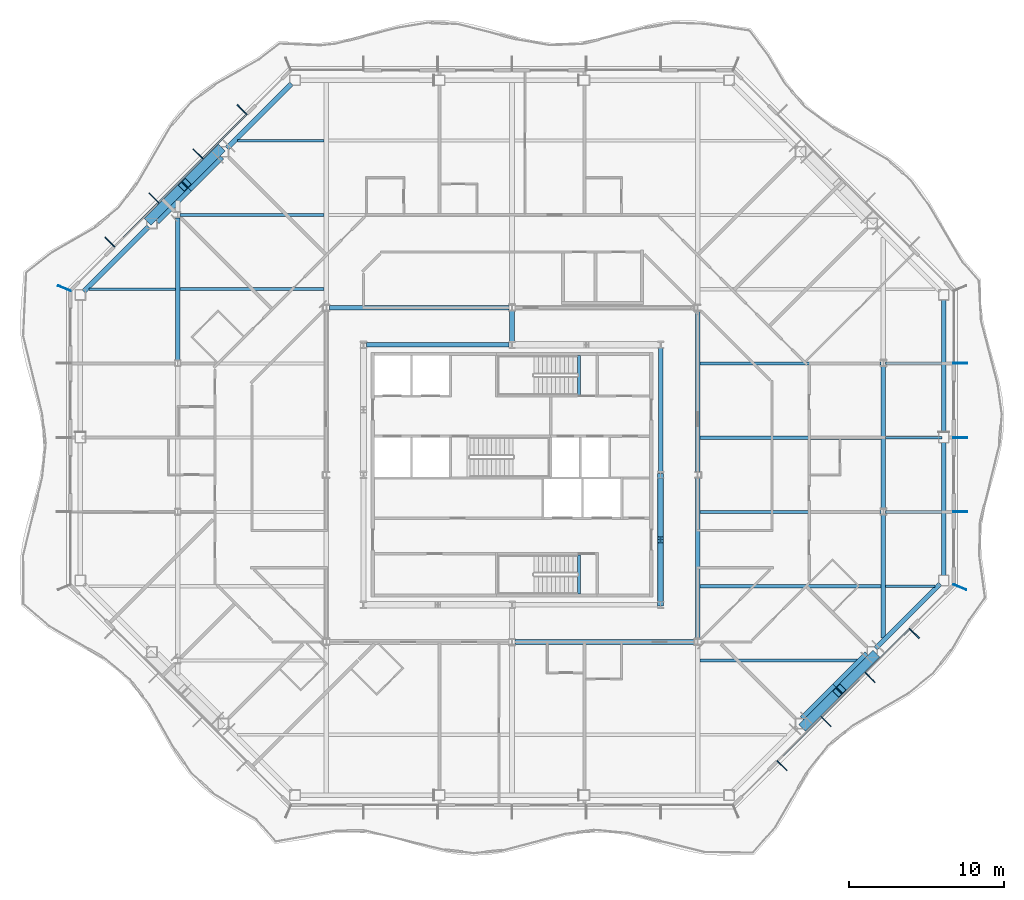
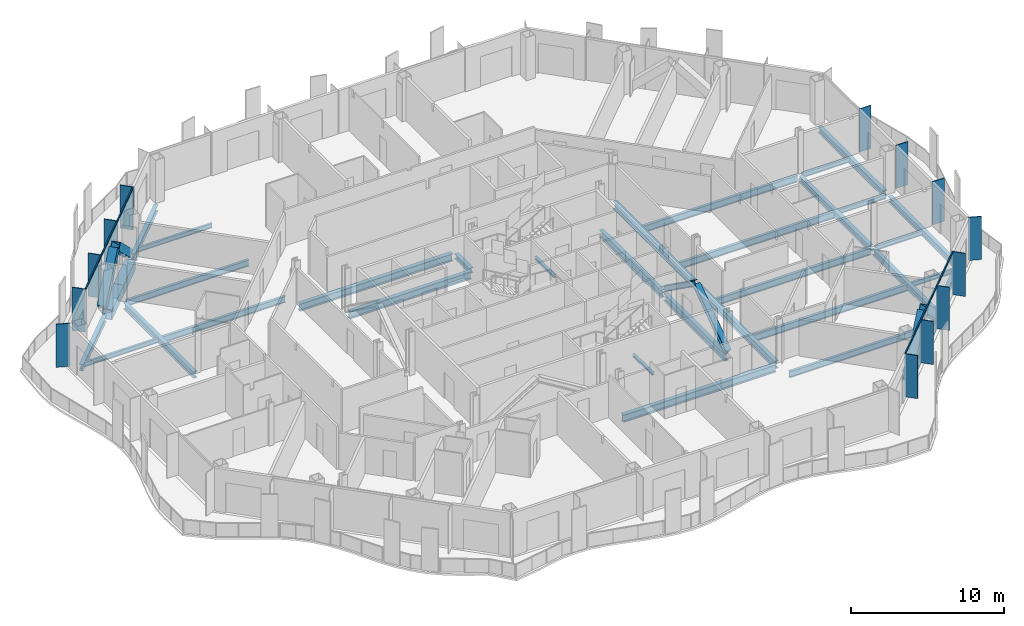
# One storey, part 4 of 22: 35 beams, 25 members, 4 elements without a shape of their own.
"""IFC4 building model written with IfcOpenShell, lengths in metres."""

from ifc_helpers import new_model, si_unit, direction, frame, origin, origin_2d, place, context, subcontext, project, spatial, rectangle, hollow_rectangle, i_section, extrude, material, material_profile, profile_set, type_object, element, aggregate, save


model = new_model("IFC4")

# Units and contexts
model_context = context("Model", 3, precision=1e-05, world=origin(), true_north=direction((0.0, 1.0)))
body_context = subcontext(model_context, "Body", "Model", "MODEL_VIEW")
ifc_project = project(units=[si_unit("LENGTHUNIT", "METRE"), si_unit("AREAUNIT", "SQUARE_METRE"), si_unit("VOLUMEUNIT", "CUBIC_METRE"), si_unit("PLANEANGLEUNIT", "RADIAN"), si_unit("MASSUNIT", "GRAM", prefix="KILO")], contexts=[model_context])

# Site, building, storey
site_placement = place(None, origin())
site = spatial("IfcSite", under=ifc_project, at=site_placement, CompositionType="ELEMENT")
building_placement = place(site_placement, origin())
building = spatial("IfcBuilding", under=site, at=building_placement, Name="Cairn Pilgrim Tower", CompositionType="ELEMENT")
storey_placement = place(building_placement, frame((0.0, 0.0, 147.0)))
storey = spatial("IfcBuildingStorey", under=building, at=storey_placement, Name="L36", CompositionType="ELEMENT", Elevation=147.0)

# Members
ifc_material_1 = material(Name="Structural steel S460M", Category="steel")
ifc_material_profile_1 = material_profile(ifc_material_1, hollow_rectangle(XDim=0.60009765625, YDim=0.60009765625, WallThickness=0.034912109375, at=origin_2d()), Name="BOX 600x600x35")
ifc_profile_set_1 = profile_set([ifc_material_profile_1], Name="Structural steel S460M")
member_type_1 = type_object("IfcMemberType", Name="BOX 600x600x35 BRACE", PredefinedType="BRACE", material=ifc_profile_set_1)
for number, where, z_axis, x_axis, name in (
    (1, (26.08837890625, -13.813720703125, 0.14990234375), (0.535555986925, 0.535555986925, 0.652962150311), (-0.707106781187, 0.707106781187, 0.0), "XB-SE2-SE3-1"),
    (2, (30.613525390625, -9.288330078125, 0.14990234375), (-0.535512846393, -0.535573335815, 0.652983302476), (0.707146713802, -0.707066846316, 0.0), "XB-SE2-SE3-2"),
):
    element("IfcMember", number, at=place(storey_placement, frame(where, z_axis=z_axis, x_axis=x_axis)), inside=storey, type_object=member_type_1, Name=name, PredefinedType="BRACE", context=body_context, shape_type="SweptSolid", body=[
        extrude(hollow_rectangle(XDim=0.60009765625, YDim=0.60009765625, WallThickness=0.034912109375, at=origin_2d()), origin(), (0.0, 0.0, 1.0), 4.0361328125),
    ])
member_1_placement = place(storey_placement, frame((-11.6884765625, 23.41357421875, 0.14990234375), z_axis=(-0.53553019501, -0.53553019501, 0.653004456696), x_axis=(0.707106781187, -0.707106781187, 0.0)))
element("IfcMember", 3, at=member_1_placement, inside=storey, type_object=member_type_1, Name="XB-NW2-NW3-1", PredefinedType="BRACE", context=body_context, shape_type="SweptSolid", body=[
    extrude(hollow_rectangle(XDim=0.60009765625, YDim=0.60009765625, WallThickness=0.034912109375, at=origin_2d()), origin(), (0.0, 0.0, 1.0), 4.035888671875),
])
member_2_placement = place(storey_placement, frame((-16.213623046875, 18.888427734375, 0.14990234375), z_axis=(0.535573335815, 0.535512846393, 0.652983302476), x_axis=(-0.707066846316, 0.707146713802, 0.0)))
element("IfcMember", 4, at=member_2_placement, inside=storey, type_object=member_type_1, Name="XB-NW2-NW3-2", PredefinedType="BRACE", context=body_context, shape_type="SweptSolid", body=[
    extrude(hollow_rectangle(XDim=0.60009765625, YDim=0.60009765625, WallThickness=0.034912109375, at=origin_2d()), origin(), (0.0, 0.0, 1.0), 4.0361328125),
])

# Beams
ifc_material_2 = material(Name="Structural steel S355J2", Category="steel")
ifc_material_profile_2 = material_profile(ifc_material_2, hollow_rectangle(XDim=0.699951171875, YDim=0.800048828125, WallThickness=0.0400390625, at=origin_2d()), Name="BOX 700x800x40")
ifc_profile_set_2 = profile_set([ifc_material_profile_2], Name="Structural steel S355J2")
beam_type_1 = type_object("IfcBeamType", Name="BOX 700x800x40 RING GIRDER", PredefinedType="SPANDREL", material=ifc_profile_set_2)
for number, where, z_axis, x_axis, name in (
    (5, (26.07421875, -13.452880859375, -0.550048828125), (0.707106781187, 0.707106781187, 0.0), (-0.707106781187, 0.707106781187, 0.0), "RG2-SE2-SE3-1"),
    (6, (28.16357421875, -11.363525390625, -0.550048828125), (0.707106781187, 0.707106781187, 0.0), (-0.707106781187, 0.707106781187, 0.0), "RG2-SE2-SE3-2"),
    (7, (-11.67431640625, 23.052978515625, -0.550048828125), (-0.707106781187, -0.707106781187, 0.0), (0.707106781187, -0.707106781187, 0.0), "RG2-NW2-NW3-1"),
    (8, (-13.763671875, 20.963623046875, -0.550048828125), (-0.707106781187, -0.707106781187, 0.0), (0.707106781187, -0.707106781187, 0.0), "RG2-NW2-NW3-2"),
):
    element("IfcBeam", number, at=place(storey_placement, frame(where, z_axis=z_axis, x_axis=x_axis)), inside=storey, type_object=beam_type_1, Name=name, PredefinedType="SPANDREL", context=body_context, shape_type="SweptSolid", body=[
        extrude(hollow_rectangle(XDim=0.699951171875, YDim=0.800048828125, WallThickness=0.0400390625, at=origin_2d()), origin(), (0.0, 0.0, 1.0), 2.954833984375),
    ])

# Curtain wall, members
ifc_material_3 = material(Name="Aluminium alloy 6063-T6 bronze anodised with Bronze tinted laminated low-E glass 8+16+8.8", Category="aluminium")
curtain_wall_type_1 = type_object("IfcCurtainWallType", Name="CHAMFER CORNER CURTAIN WALL", PredefinedType="NOTDEFINED", material=ifc_material_3)
curtain_wall_1_placement = place(storey_placement, origin())
curtain_wall_1 = element("IfcCurtainWall", 9, at=curtain_wall_1_placement, inside=storey, type_object=curtain_wall_type_1, Name="Chamfer Corner Curtain Wall SE", PredefinedType="NOTDEFINED")
ifc_material_4 = material(Name="Aluminium alloy 6063-T6 bronze anodised", Category="aluminium")
ifc_material_profile_3 = material_profile(ifc_material_4, rectangle(XDim=0.89990234375, YDim=0.06005859375, at=origin_2d()), Name="FIN MULLION 60x900 BRONZE")
ifc_profile_set_3 = profile_set([ifc_material_profile_3], Name="Aluminium alloy 6063-T6 bronze anodised")
member_type_2 = type_object("IfcMemberType", Name="FIN MULLION 60x900 BRONZE", PredefinedType="MULLION", material=ifc_profile_set_3)
member_3_placement = place(storey_placement, frame((24.64404296875, -16.396240234375, 0.0), z_axis=(0.0, 0.0, 1.0), x_axis=(0.707106781187, -0.707106781187, 0.0)))
member_3 = element("IfcMember", 10, at=member_3_placement, type_object=member_type_2, Name="Fin mullion SE2", PredefinedType="MULLION", context=body_context, shape_type="SweptSolid", body=[
    extrude(rectangle(XDim=0.89990234375, YDim=0.06005859375, at=origin_2d()), origin(), (0.0, 0.0, 1.0), 3.449951171875),
])
member_4_placement = place(storey_placement, frame((27.494873046875, -13.545654296875, 0.0), z_axis=(0.0, 0.0, 1.0), x_axis=(0.707106781187, -0.707106781187, 0.0)))
member_4 = element("IfcMember", 11, at=member_4_placement, type_object=member_type_2, Name="Fin mullion SE3", PredefinedType="MULLION", context=body_context, shape_type="SweptSolid", body=[
    extrude(rectangle(XDim=0.89990234375, YDim=0.06005859375, at=origin_2d()), origin(), (0.0, 0.0, 1.0), 3.449951171875),
])
member_5_placement = place(storey_placement, frame((30.345458984375, -10.69482421875, 0.0), z_axis=(0.0, 0.0, 1.0), x_axis=(0.707106781187, -0.707106781187, 0.0)))
member_5 = element("IfcMember", 12, at=member_5_placement, type_object=member_type_2, Name="Fin mullion SE4", PredefinedType="MULLION", context=body_context, shape_type="SweptSolid", body=[
    extrude(rectangle(XDim=0.89990234375, YDim=0.06005859375, at=origin_2d()), origin(), (0.0, 0.0, 1.0), 3.449951171875),
])
member_6_placement = place(storey_placement, frame((33.1962890625, -7.84423828125, 0.0), z_axis=(0.0, 0.0, 1.0), x_axis=(0.707106781187, -0.707106781187, 0.0)))
member_6 = element("IfcMember", 13, at=member_6_placement, type_object=member_type_2, Name="Fin mullion SE5", PredefinedType="MULLION", context=body_context, shape_type="SweptSolid", body=[
    extrude(rectangle(XDim=0.89990234375, YDim=0.06005859375, at=origin_2d()), origin(), (0.0, 0.0, 1.0), 3.449951171875),
])

curtain_wall_type_2 = type_object("IfcCurtainWallType", Name="TOWER STICK CURTAIN WALL EW", PredefinedType="NOTDEFINED", material=ifc_material_3)
curtain_wall_2_placement = place(storey_placement, origin())
curtain_wall_2 = element("IfcCurtainWall", 14, at=curtain_wall_2_placement, inside=storey, type_object=curtain_wall_type_2, Name="Tower Stick Curtain Wall Ew E", PredefinedType="NOTDEFINED")
member_7_placement = place(storey_placement, frame((36.137939453125, -4.857177734375, 0.0), z_axis=(0.0, 0.0, 1.0), x_axis=(0.923879532511, -0.382683432365, 0.0)))
member_7 = element("IfcMember", 15, at=member_7_placement, type_object=member_type_2, Name="Fin mullion E1", PredefinedType="MULLION", context=body_context, shape_type="SweptSolid", body=[
    extrude(rectangle(XDim=0.89990234375, YDim=0.06005859375, at=origin_2d()), origin(), (0.0, 0.0, 1.0), 3.449951171875),
])
member_8_placement = place(storey_placement, frame((36.169921875, 0.0, 0.0), z_axis=(0.0, 0.0, 1.0), x_axis=(1.0, 0.0, 0.0)))
member_8 = element("IfcMember", 16, at=member_8_placement, type_object=member_type_2, Name="Fin mullion E2", PredefinedType="MULLION", context=body_context, shape_type="SweptSolid", body=[
    extrude(rectangle(XDim=0.89990234375, YDim=0.06005859375, at=origin_2d()), origin(), (0.0, 0.0, 1.0), 3.449951171875),
])
member_9_placement = place(storey_placement, frame((36.169921875, 4.800048828125, 0.0), z_axis=(0.0, 0.0, 1.0), x_axis=(1.0, 0.0, 0.0)))
member_9 = element("IfcMember", 17, at=member_9_placement, type_object=member_type_2, Name="Fin mullion E3", PredefinedType="MULLION", context=body_context, shape_type="SweptSolid", body=[
    extrude(rectangle(XDim=0.89990234375, YDim=0.06005859375, at=origin_2d()), origin(), (0.0, 0.0, 1.0), 3.449951171875),
])
member_10_placement = place(storey_placement, frame((36.169921875, 9.60009765625, 0.0), z_axis=(0.0, 0.0, 1.0), x_axis=(1.0, 0.0, 0.0)))
member_10 = element("IfcMember", 18, at=member_10_placement, type_object=member_type_2, Name="Fin mullion E4", PredefinedType="MULLION", context=body_context, shape_type="SweptSolid", body=[
    extrude(rectangle(XDim=0.89990234375, YDim=0.06005859375, at=origin_2d()), origin(), (0.0, 0.0, 1.0), 3.449951171875),
])
aggregate(curtain_wall_2, [member_7, member_8, member_9, member_10])

curtain_wall_3_placement = place(storey_placement, origin())
curtain_wall_3 = element("IfcCurtainWall", 19, at=curtain_wall_3_placement, inside=storey, type_object=curtain_wall_type_1, Name="Chamfer Corner Curtain Wall NW", PredefinedType="NOTDEFINED")
member_11_placement = place(storey_placement, frame((-10.244140625, 25.996337890625, 0.0), z_axis=(0.0, 0.0, 1.0), x_axis=(-0.707106781187, 0.707106781187, 0.0)))
member_11 = element("IfcMember", 20, at=member_11_placement, type_object=member_type_2, Name="Fin mullion NW2", PredefinedType="MULLION", context=body_context, shape_type="SweptSolid", body=[
    extrude(rectangle(XDim=0.89990234375, YDim=0.06005859375, at=origin_2d()), origin(), (0.0, 0.0, 1.0), 3.449951171875),
])
member_12_placement = place(storey_placement, frame((-13.094970703125, 23.1455078125, 0.0), z_axis=(0.0, 0.0, 1.0), x_axis=(-0.707106781187, 0.707106781187, 0.0)))
member_12 = element("IfcMember", 21, at=member_12_placement, type_object=member_type_2, Name="Fin mullion NW3", PredefinedType="MULLION", context=body_context, shape_type="SweptSolid", body=[
    extrude(rectangle(XDim=0.89990234375, YDim=0.06005859375, at=origin_2d()), origin(), (0.0, 0.0, 1.0), 3.449951171875),
])
member_13_placement = place(storey_placement, frame((-15.945556640625, 20.294921875, 0.0), z_axis=(0.0, 0.0, 1.0), x_axis=(-0.707106781187, 0.707106781187, 0.0)))
member_13 = element("IfcMember", 22, at=member_13_placement, type_object=member_type_2, Name="Fin mullion NW4", PredefinedType="MULLION", context=body_context, shape_type="SweptSolid", body=[
    extrude(rectangle(XDim=0.89990234375, YDim=0.06005859375, at=origin_2d()), origin(), (0.0, 0.0, 1.0), 3.449951171875),
])
member_14_placement = place(storey_placement, frame((-18.79638671875, 17.444091796875, 0.0), z_axis=(0.0, 0.0, 1.0), x_axis=(-0.707106781187, 0.707106781187, 0.0)))
member_14 = element("IfcMember", 23, at=member_14_placement, type_object=member_type_2, Name="Fin mullion NW5", PredefinedType="MULLION", context=body_context, shape_type="SweptSolid", body=[
    extrude(rectangle(XDim=0.89990234375, YDim=0.06005859375, at=origin_2d()), origin(), (0.0, 0.0, 1.0), 3.449951171875),
])

# Curtain wall, member
curtain_wall_4_placement = place(storey_placement, origin())
curtain_wall_4 = element("IfcCurtainWall", 24, at=curtain_wall_4_placement, inside=storey, type_object=curtain_wall_type_2, Name="Tower Stick Curtain Wall Ew W", PredefinedType="NOTDEFINED")
member_15_placement = place(storey_placement, frame((-21.738037109375, 14.457275390625, 0.0), z_axis=(0.0, 0.0, 1.0), x_axis=(-0.923879532511, 0.382683432365, 0.0)))
member_15 = element("IfcMember", 25, at=member_15_placement, type_object=member_type_2, Name="Fin mullion W1", PredefinedType="MULLION", context=body_context, shape_type="SweptSolid", body=[
    extrude(rectangle(XDim=0.89990234375, YDim=0.06005859375, at=origin_2d()), origin(), (0.0, 0.0, 1.0), 3.449951171875),
])
aggregate(curtain_wall_4, [member_15])

# Members
ifc_material_profile_4 = material_profile(ifc_material_1, i_section(OverallWidth=0.408935546875, OverallDepth=0.425048828125, WebThickness=0.03271484375, FlangeThickness=0.052490234375, FilletRadius=0.014892578125, at=origin_2d()), Name="HD 400x421")
ifc_profile_set_4 = profile_set([ifc_material_profile_4], Name="Structural steel S460M")
member_type_3 = type_object("IfcMemberType", Name="HD 400x421 BRACE", PredefinedType="BRACE", material=ifc_profile_set_4)
for number, where, z_axis, x_axis, name in (
    (26, (16.800048828125, -5.95751953125, 0.10009765625), (0.0, 0.814281054922, 0.58047081201), (-1.0, 0.0, 0.0), "KB-2A"),
    (27, (16.800048828125, 2.357666015625, 0.10009765625), (0.0, -0.814281054922, 0.58047081201), (1.0, 0.0, 0.0), "KB-2B"),
):
    element("IfcMember", number, at=place(storey_placement, frame(where, z_axis=z_axis, x_axis=x_axis)), inside=storey, type_object=member_type_3, Name=name, PredefinedType="BRACE", context=body_context, shape_type="SweptSolid", body=[
        extrude(i_section(OverallWidth=0.408935546875, OverallDepth=0.425048828125, WebThickness=0.03271484375, FlangeThickness=0.052490234375, FilletRadius=0.014892578125, at=origin_2d()), origin(), (0.0, 0.0, 1.0), 4.99755859375),
    ])

# Beams
ifc_material_profile_5 = material_profile(ifc_material_2, i_section(OverallWidth=0.300048828125, OverallDepth=0.39990234375, WebThickness=0.013427734375, FlangeThickness=0.02392578125, FilletRadius=0.027099609375, at=origin_2d()), Name="HEB 400")
ifc_profile_set_5 = profile_set([ifc_material_profile_5], Name="Structural steel S355J2")
beam_type_2 = type_object("IfcBeamType", Name="HEB 400 GIRDER", PredefinedType="BEAM", material=ifc_profile_set_5)
beam_1_placement = place(storey_placement, frame((7.199951171875, 11.011962890625, -0.35009765625), z_axis=(0.0, 1.0, 0.0), x_axis=(-1.0, 0.0, 0.0)))
element("IfcBeam", 28, at=beam_1_placement, inside=storey, type_object=beam_type_2, Name="PG3-E2", PredefinedType="BEAM", context=body_context, shape_type="SweptSolid", body=[
    extrude(i_section(OverallWidth=0.300048828125, OverallDepth=0.39990234375, WebThickness=0.013427734375, FlangeThickness=0.02392578125, FilletRadius=0.027099609375, at=origin_2d()), origin(), (0.0, 0.0, 1.0), 1.983642578125),
])
ifc_material_profile_6 = material_profile(ifc_material_2, i_section(OverallWidth=0.300048828125, OverallDepth=0.5, WebThickness=0.014404296875, FlangeThickness=0.028076171875, FilletRadius=0.027099609375, at=origin_2d()), Name="HEB 500")
ifc_profile_set_6 = profile_set([ifc_material_profile_6], Name="Structural steel S355J2")
beam_type_3 = type_object("IfcBeamType", Name="HEB 500 GIRDER", PredefinedType="BEAM", material=ifc_profile_set_6)
beam_2_placement = place(storey_placement, frame((-14.39990234375, 9.799560546875, -0.39990234375), z_axis=(0.0, 1.0, 0.0), x_axis=(-1.0, 0.0, 0.0)))
element("IfcBeam", 29, at=beam_2_placement, inside=storey, type_object=beam_type_3, Name="PG1-3", PredefinedType="BEAM", context=body_context, shape_type="SweptSolid", body=[
    extrude(i_section(OverallWidth=0.300048828125, OverallDepth=0.5, WebThickness=0.014404296875, FlangeThickness=0.028076171875, FilletRadius=0.027099609375, at=origin_2d()), origin(), (0.0, 0.0, 1.0), 9.200927734375),
])
beam_3_placement = place(storey_placement, frame((31.199951171875, -8.14501953125, -0.39990234375), z_axis=(0.0, 1.0, 0.0), x_axis=(-1.0, 0.0, 0.0)))
element("IfcBeam", 30, at=beam_3_placement, inside=storey, type_object=beam_type_3, Name="PG5-1", PredefinedType="BEAM", context=body_context, shape_type="SweptSolid", body=[
    extrude(i_section(OverallWidth=0.300048828125, OverallDepth=0.5, WebThickness=0.014404296875, FlangeThickness=0.028076171875, FilletRadius=0.027099609375, at=origin_2d()), origin(), (0.0, 0.0, 1.0), 7.9404296875),
])
beam_4_placement = place(storey_placement, frame((31.199951171875, 0.20458984375, -0.39990234375), z_axis=(0.0, 1.0, 0.0), x_axis=(-1.0, 0.0, 0.0)))
element("IfcBeam", 31, at=beam_4_placement, inside=storey, type_object=beam_type_3, Name="PG5-2", PredefinedType="BEAM", context=body_context, shape_type="SweptSolid", body=[
    extrude(i_section(OverallWidth=0.300048828125, OverallDepth=0.5, WebThickness=0.014404296875, FlangeThickness=0.028076171875, FilletRadius=0.027099609375, at=origin_2d()), origin(), (0.0, 0.0, 1.0), 9.19091796875),
])
ifc_material_profile_7 = material_profile(ifc_material_2, i_section(OverallWidth=0.300048828125, OverallDepth=0.5, WebThickness=0.014404296875, FlangeThickness=0.028076171875, FilletRadius=0.027099609375, at=origin_2d()), Name="HEB 500")
ifc_profile_set_7 = profile_set([ifc_material_profile_7], Name="Structural steel S355J2")
beam_type_4 = type_object("IfcBeamType", Name="HEB 500 RING GIRDER", PredefinedType="SPANDREL", material=ifc_profile_set_7)
beam_5_placement = place(storey_placement, frame((30.698486328125, -8.82861328125, -0.39990234375), z_axis=(0.707106781187, 0.707106781187, 0.0), x_axis=(-0.707106781187, 0.707106781187, 0.0)))
element("IfcBeam", 32, at=beam_5_placement, inside=storey, type_object=beam_type_4, Name="RG2-SE3-E1", PredefinedType="SPANDREL", context=body_context, shape_type="SweptSolid", body=[
    extrude(i_section(OverallWidth=0.300048828125, OverallDepth=0.5, WebThickness=0.014404296875, FlangeThickness=0.028076171875, FilletRadius=0.027099609375, at=origin_2d()), origin(), (0.0, 0.0, 1.0), 5.90966796875),
])
beam_6_placement = place(storey_placement, frame((35.10009765625, -4.1123046875, -0.39990234375), z_axis=(0.0, 1.0, 0.0), x_axis=(-1.0, 0.0, 0.0)))
element("IfcBeam", 33, at=beam_6_placement, inside=storey, type_object=beam_type_4, Name="RG2-E1-E2", PredefinedType="SPANDREL", context=body_context, shape_type="SweptSolid", body=[
    extrude(i_section(OverallWidth=0.300048828125, OverallDepth=0.5, WebThickness=0.014404296875, FlangeThickness=0.028076171875, FilletRadius=0.027099609375, at=origin_2d()), origin(), (0.0, 0.0, 1.0), 8.597412109375),
])
beam_7_placement = place(storey_placement, frame((35.10009765625, 5.114990234375, -0.39990234375), z_axis=(0.0, 1.0, 0.0), x_axis=(-1.0, 0.0, 0.0)))
element("IfcBeam", 34, at=beam_7_placement, inside=storey, type_object=beam_type_4, Name="RG2-E2-NE1", PredefinedType="SPANDREL", context=body_context, shape_type="SweptSolid", body=[
    extrude(i_section(OverallWidth=0.300048828125, OverallDepth=0.5, WebThickness=0.014404296875, FlangeThickness=0.028076171875, FilletRadius=0.027099609375, at=origin_2d()), origin(), (0.0, 0.0, 1.0), 8.59716796875),
])
for number, where, z_axis, x_axis, name in (
    (35, (-7.0498046875, 27.67724609375, -0.39990234375), (-0.707127436591, -0.707086125179, 0.0), (0.707086125179, -0.707127436591, 0.0), "RG2-NW1-NW2"),
    (36, (-16.298583984375, 18.4287109375, -0.39990234375), (-0.707106781187, -0.707106781187, 0.0), (0.707106781187, -0.707106781187, 0.0), "RG2-NW3-W1"),
):
    element("IfcBeam", number, at=place(storey_placement, frame(where, z_axis=z_axis, x_axis=x_axis)), inside=storey, type_object=beam_type_4, Name=name, PredefinedType="SPANDREL", context=body_context, shape_type="SweptSolid", body=[
        extrude(i_section(OverallWidth=0.300048828125, OverallDepth=0.5, WebThickness=0.014404296875, FlangeThickness=0.028076171875, FilletRadius=0.027099609375, at=origin_2d()), origin(), (0.0, 0.0, 1.0), 5.90966796875),
    ])
ifc_material_profile_8 = material_profile(ifc_material_2, i_section(OverallWidth=0.300048828125, OverallDepth=0.60009765625, WebThickness=0.015380859375, FlangeThickness=0.030029296875, FilletRadius=0.027099609375, at=origin_2d()), Name="HEB 600")
ifc_profile_set_8 = profile_set([ifc_material_profile_8], Name="Structural steel S355J2")
beam_type_5 = type_object("IfcBeamType", Name="HEB 600 CORE BEAM", PredefinedType="BEAM", material=ifc_profile_set_8)
for number, where, z_axis, x_axis, name in (
    (37, (16.800048828125, -5.80908203125, -0.449951171875), (0.0, 1.0, 0.0), (-1.0, 0.0, 0.0), "CB-3"),
    (38, (16.800048828125, 2.5908203125, -0.449951171875), (0.0, 1.0, 0.0), (-1.0, 0.0, 0.0), "CB-4"),
):
    element("IfcBeam", number, at=place(storey_placement, frame(where, z_axis=z_axis, x_axis=x_axis)), inside=storey, type_object=beam_type_5, Name=name, PredefinedType="BEAM", context=body_context, shape_type="SweptSolid", body=[
        extrude(i_section(OverallWidth=0.300048828125, OverallDepth=0.60009765625, WebThickness=0.015380859375, FlangeThickness=0.030029296875, FilletRadius=0.027099609375, at=origin_2d()), origin(), (0.0, 0.0, 1.0), 8.018310546875),
    ])
beam_8_placement = place(storey_placement, frame((7.00927734375, 10.800048828125, -0.449951171875), z_axis=(-1.0, 0.0, 0.0), x_axis=(0.0, -1.0, 0.0)))
element("IfcBeam", 39, at=beam_8_placement, inside=storey, type_object=beam_type_5, Name="CB-6", PredefinedType="BEAM", context=body_context, shape_type="SweptSolid", body=[
    extrude(i_section(OverallWidth=0.300048828125, OverallDepth=0.60009765625, WebThickness=0.015380859375, FlangeThickness=0.030029296875, FilletRadius=0.027099609375, at=origin_2d()), origin(), (0.0, 0.0, 1.0), 9.218505859375),
])
ifc_material_profile_9 = material_profile(ifc_material_2, i_section(OverallWidth=0.300048828125, OverallDepth=0.60009765625, WebThickness=0.015380859375, FlangeThickness=0.030029296875, FilletRadius=0.027099609375, at=origin_2d()), Name="HEB 600")
ifc_profile_set_9 = profile_set([ifc_material_profile_9], Name="Structural steel S355J2")
beam_type_6 = type_object("IfcBeamType", Name="HEB 600 GIRDER", PredefinedType="BEAM", material=ifc_profile_set_9)
for number, where, z_axis, x_axis, name in (
    (40, (19.199951171875, -8.195556640625, -0.449951171875), (0.0, 1.0, 0.0), (-1.0, 0.0, 0.0), "PG4-2"),
    (41, (19.199951171875, 2.6044921875, -0.449951171875), (0.0, 1.0, 0.0), (-1.0, 0.0, 0.0), "PG4-3"),
):
    element("IfcBeam", number, at=place(storey_placement, frame(where, z_axis=z_axis, x_axis=x_axis)), inside=storey, type_object=beam_type_6, Name=name, PredefinedType="BEAM", context=body_context, shape_type="SweptSolid", body=[
        extrude(i_section(OverallWidth=0.300048828125, OverallDepth=0.60009765625, WebThickness=0.015380859375, FlangeThickness=0.030029296875, FilletRadius=0.027099609375, at=origin_2d()), origin(), (0.0, 0.0, 1.0), 10.39111328125),
    ])
ifc_material_profile_10 = material_profile(ifc_material_2, i_section(OverallWidth=0.300048828125, OverallDepth=0.60009765625, WebThickness=0.015380859375, FlangeThickness=0.030029296875, FilletRadius=0.027099609375, at=origin_2d()), Name="HEB 600")
ifc_profile_set_10 = profile_set([ifc_material_profile_10], Name="Structural steel S355J2")
beam_type_7 = type_object("IfcBeamType", Name="HEB 600 INNER GIRDER", PredefinedType="BEAM", material=ifc_profile_set_10)
for number, where, z_axis, x_axis, name in (
    (42, (7.404541015625, -8.39990234375, -0.449951171875), (1.0, 0.0, 0.0), (0.0, 1.0, 0.0), "IG1-2"),
    (43, (-4.595458984375, 13.199951171875, -0.449951171875), (1.0, 0.0, 0.0), (0.0, 1.0, 0.0), "IG2-1"),
):
    element("IfcBeam", number, at=place(storey_placement, frame(where, z_axis=z_axis, x_axis=x_axis)), inside=storey, type_object=beam_type_7, Name=name, PredefinedType="BEAM", context=body_context, shape_type="SweptSolid", body=[
        extrude(i_section(OverallWidth=0.300048828125, OverallDepth=0.60009765625, WebThickness=0.015380859375, FlangeThickness=0.030029296875, FilletRadius=0.027099609375, at=origin_2d()), origin(), (0.0, 0.0, 1.0), 11.591064453125),
    ])
ifc_material_profile_11 = material_profile(ifc_material_2, i_section(OverallWidth=0.169921875, OverallDepth=0.360107421875, WebThickness=0.008056640625, FlangeThickness=0.0126953125, FilletRadius=0.01806640625, at=origin_2d()), Name="IPE 360")
ifc_profile_set_11 = profile_set([ifc_material_profile_11], Name="Structural steel S355J2")
beam_type_8 = type_object("IfcBeamType", Name="IPE 360 SECONDARY BEAM", PredefinedType="JOIST", material=ifc_profile_set_11)
beam_9_placement = place(storey_placement, frame((31.35009765625, -4.800048828125, -0.330078125), z_axis=(1.0, 0.0, 0.0), x_axis=(0.0, 1.0, 0.0)))
element("IfcBeam", 44, at=beam_9_placement, inside=storey, type_object=beam_type_8, Name="SB3-4", PredefinedType="JOIST", context=body_context, shape_type="SweptSolid", body=[
    extrude(i_section(OverallWidth=0.169921875, OverallDepth=0.360107421875, WebThickness=0.008056640625, FlangeThickness=0.0126953125, FilletRadius=0.01806640625, at=origin_2d()), origin(), (0.0, 0.0, 1.0), 3.195068359375),
])
for number, where, z_axis, x_axis, name in (
    (45, (31.35009765625, 0.0, -0.330078125), (1.0, 0.0, 0.0), (0.0, 1.0, 0.0), "SB4-4"),
    (46, (31.35009765625, 4.800048828125, -0.330078125), (1.0, 0.0, 0.0), (0.0, 1.0, 0.0), "SB5-4"),
    (47, (31.35009765625, 9.60009765625, -0.330078125), (1.0, 0.0, 0.0), (0.0, 1.0, 0.0), "SB6-4"),
):
    element("IfcBeam", number, at=place(storey_placement, frame(where, z_axis=z_axis, x_axis=x_axis)), inside=storey, type_object=beam_type_8, Name=name, PredefinedType="JOIST", context=body_context, shape_type="SweptSolid", body=[
        extrude(i_section(OverallWidth=0.169921875, OverallDepth=0.360107421875, WebThickness=0.008056640625, FlangeThickness=0.0126953125, FilletRadius=0.01806640625, at=origin_2d()), origin(), (0.0, 0.0, 1.0), 3.6298828125),
    ])
beam_10_placement = place(storey_placement, frame((-20.14501953125, 14.39990234375, -0.330078125), z_axis=(1.0, 0.0, 0.0), x_axis=(0.0, 1.0, 0.0)))
element("IfcBeam", 48, at=beam_10_placement, inside=storey, type_object=beam_type_8, Name="SB7-1", PredefinedType="JOIST", context=body_context, shape_type="SweptSolid", body=[
    extrude(i_section(OverallWidth=0.169921875, OverallDepth=0.360107421875, WebThickness=0.008056640625, FlangeThickness=0.0126953125, FilletRadius=0.01806640625, at=origin_2d()), origin(), (0.0, 0.0, 1.0), 5.594970703125),
])
beam_11_placement = place(storey_placement, frame((-10.545166015625, 24.0, -0.330078125), z_axis=(1.0, 0.0, 0.0), x_axis=(0.0, 1.0, 0.0)))
element("IfcBeam", 49, at=beam_11_placement, inside=storey, type_object=beam_type_8, Name="SB9-1", PredefinedType="JOIST", context=body_context, shape_type="SweptSolid", body=[
    extrude(i_section(OverallWidth=0.169921875, OverallDepth=0.360107421875, WebThickness=0.008056640625, FlangeThickness=0.0126953125, FilletRadius=0.01806640625, at=origin_2d()), origin(), (0.0, 0.0, 1.0), 5.59521484375),
])
ifc_material_profile_12 = material_profile(ifc_material_2, i_section(OverallWidth=0.199951171875, OverallDepth=0.5, WebThickness=0.01025390625, FlangeThickness=0.01611328125, FilletRadius=0.02099609375, at=origin_2d()), Name="IPE 500")
ifc_profile_set_12 = profile_set([ifc_material_profile_12], Name="Structural steel S355J2")
beam_type_9 = type_object("IfcBeamType", Name="IPE 500 SECONDARY BEAM", PredefinedType="JOIST", material=ifc_profile_set_12)
beam_12_placement = place(storey_placement, frame((19.35009765625, -9.60009765625, -0.39990234375), z_axis=(1.0, 0.0, 0.0), x_axis=(0.0, 1.0, 0.0)))
element("IfcBeam", 50, at=beam_12_placement, inside=storey, type_object=beam_type_9, Name="SB2-2", PredefinedType="JOIST", context=body_context, shape_type="SweptSolid", body=[
    extrude(i_section(OverallWidth=0.199951171875, OverallDepth=0.5, WebThickness=0.01025390625, FlangeThickness=0.01611328125, FilletRadius=0.02099609375, at=origin_2d()), origin(), (0.0, 0.0, 1.0), 10.39501953125),
])
for number, where, z_axis, x_axis, name in (
    (51, (-14.25, 14.39990234375, -0.39990234375), (1.0, 0.0, 0.0), (0.0, 1.0, 0.0), "SB7-2"),
    (52, (-14.25, 19.199951171875, -0.39990234375), (1.0, 0.0, 0.0), (0.0, 1.0, 0.0), "SB8-1"),
):
    element("IfcBeam", number, at=place(storey_placement, frame(where, z_axis=z_axis, x_axis=x_axis)), inside=storey, type_object=beam_type_9, Name=name, PredefinedType="JOIST", context=body_context, shape_type="SweptSolid", body=[
        extrude(i_section(OverallWidth=0.199951171875, OverallDepth=0.5, WebThickness=0.01025390625, FlangeThickness=0.01611328125, FilletRadius=0.02099609375, at=origin_2d()), origin(), (0.0, 0.0, 1.0), 9.300048828125),
    ])
ifc_material_profile_13 = material_profile(ifc_material_2, i_section(OverallWidth=0.2099609375, OverallDepth=0.550048828125, WebThickness=0.010986328125, FlangeThickness=0.01708984375, FilletRadius=0.02392578125, at=origin_2d()), Name="IPE 550")
ifc_profile_set_13 = profile_set([ifc_material_profile_13], Name="Structural steel S355J2")
beam_type_10 = type_object("IfcBeamType", Name="IPE 550 SECONDARY BEAM", PredefinedType="JOIST", material=ifc_profile_set_13)
for number, where, z_axis, x_axis, name in (
    (53, (19.35009765625, -4.800048828125, -0.425048828125), (1.0, 0.0, 0.0), (0.0, 1.0, 0.0), "SB3-3"),
    (54, (19.35009765625, 0.0, -0.425048828125), (1.0, 0.0, 0.0), (0.0, 1.0, 0.0), "SB4-3"),
    (55, (19.35009765625, 4.800048828125, -0.425048828125), (1.0, 0.0, 0.0), (0.0, 1.0, 0.0), "SB5-3"),
    (56, (19.35009765625, 9.60009765625, -0.425048828125), (1.0, 0.0, 0.0), (0.0, 1.0, 0.0), "SB6-3"),
):
    element("IfcBeam", number, at=place(storey_placement, frame(where, z_axis=z_axis, x_axis=x_axis)), inside=storey, type_object=beam_type_10, Name=name, PredefinedType="JOIST", context=body_context, shape_type="SweptSolid", body=[
        extrude(i_section(OverallWidth=0.2099609375, OverallDepth=0.550048828125, WebThickness=0.010986328125, FlangeThickness=0.01708984375, FilletRadius=0.02392578125, at=origin_2d()), origin(), (0.0, 0.0, 1.0), 11.699951171875),
    ])
ifc_material_profile_14 = material_profile(ifc_material_2, i_section(OverallWidth=0.199951171875, OverallDepth=0.199951171875, WebThickness=0.009033203125, FlangeThickness=0.014892578125, FilletRadius=0.01806640625, at=origin_2d()), Name="HE 200 B")
ifc_profile_set_14 = profile_set([ifc_material_profile_14], Name="Structural steel S355J2")
beam_type_11 = type_object("IfcBeamType", Name="STAIR LANDING BEAM HE 200 B", PredefinedType="BEAM", material=ifc_profile_set_14)
for number, where, z_axis, x_axis, name in (
    (57, (11.5244140625, -2.77490234375, -0.25), (0.0, -1.0, 0.0), (1.0, 0.0, 0.0), "STAIR LANDING BEAM LD-HE200B"),
    (58, (11.5244140625, 10.10009765625, -0.25), (0.0, -1.0, 0.0), (1.0, 0.0, 0.0), "STAIR LANDING BEAM LD-HE200B"),
):
    element("IfcBeam", number, at=place(storey_placement, frame(where, z_axis=z_axis, x_axis=x_axis)), inside=storey, type_object=beam_type_11, Name=name, PredefinedType="BEAM", context=body_context, shape_type="SweptSolid", body=[
        extrude(i_section(OverallWidth=0.199951171875, OverallDepth=0.199951171875, WebThickness=0.009033203125, FlangeThickness=0.014892578125, FilletRadius=0.01806640625, at=origin_2d()), origin(), (0.0, 0.0, 1.0), 2.525146484375),
    ])

# Member
ifc_material_profile_15 = material_profile(ifc_material_4, rectangle(XDim=0.080078125, YDim=0.14990234375, at=origin_2d()), Name="TRANSOM 80x150 BRONZE")
ifc_profile_set_15 = profile_set([ifc_material_profile_15], Name="Aluminium alloy 6063-T6 bronze anodised")
member_type_4 = type_object("IfcMemberType", Name="TRANSOM 80x150 BRONZE", PredefinedType="USERDEFINED", material=ifc_profile_set_15)
member_16_placement = place(storey_placement, frame((24.368408203125, -16.078125, 3.375), z_axis=(0.707106781187, 0.707106781187, 0.0), x_axis=(-0.707106781187, 0.707106781187, 0.0)))
member_16 = element("IfcMember", 59, at=member_16_placement, type_object=member_type_4, Name="Transom SE2", ObjectType="TRANSOM", PredefinedType="USERDEFINED", context=body_context, shape_type="SweptSolid", body=[
    extrude(rectangle(XDim=0.080078125, YDim=0.14990234375, at=origin_2d()), origin(), (0.0, 0.0, 1.0), 3.9716796875),
])

member_17_placement = place(storey_placement, frame((27.218994140625, -13.227294921875, 3.375), z_axis=(0.70713751761, 0.707076043427, 0.0), x_axis=(-0.707076043427, 0.70713751761, 0.0)))
member_17 = element("IfcMember", 60, at=member_17_placement, type_object=member_type_4, Name="Transom SE3", ObjectType="TRANSOM", PredefinedType="USERDEFINED", context=body_context, shape_type="SweptSolid", body=[
    extrude(rectangle(XDim=0.080078125, YDim=0.14990234375, at=origin_2d()), origin(), (0.0, 0.0, 1.0), 3.971435546875),
])

member_18_placement = place(storey_placement, frame((30.06982421875, -10.376708984375, 3.375), z_axis=(0.707106781187, 0.707106781187, 0.0), x_axis=(-0.707106781187, 0.707106781187, 0.0)))
member_18 = element("IfcMember", 61, at=member_18_placement, type_object=member_type_4, Name="Transom SE4", ObjectType="TRANSOM", PredefinedType="USERDEFINED", context=body_context, shape_type="SweptSolid", body=[
    extrude(rectangle(XDim=0.080078125, YDim=0.14990234375, at=origin_2d()), origin(), (0.0, 0.0, 1.0), 3.9716796875),
])

aggregate(curtain_wall_1, [member_3, member_4, member_5, member_6, member_16, member_17, member_18])

member_19_placement = place(storey_placement, frame((-9.96826171875, 25.677978515625, 3.375), z_axis=(-0.70713751761, -0.707076043427, 0.0), x_axis=(0.707076043427, -0.70713751761, 0.0)))
member_19 = element("IfcMember", 62, at=member_19_placement, type_object=member_type_4, Name="Transom NW2", ObjectType="TRANSOM", PredefinedType="USERDEFINED", context=body_context, shape_type="SweptSolid", body=[
    extrude(rectangle(XDim=0.080078125, YDim=0.14990234375, at=origin_2d()), origin(), (0.0, 0.0, 1.0), 3.971435546875),
])

member_20_placement = place(storey_placement, frame((-12.819091796875, 22.827392578125, 3.375), z_axis=(-0.707106781187, -0.707106781187, 0.0), x_axis=(0.707106781187, -0.707106781187, 0.0)))
member_20 = element("IfcMember", 63, at=member_20_placement, type_object=member_type_4, Name="Transom NW3", ObjectType="TRANSOM", PredefinedType="USERDEFINED", context=body_context, shape_type="SweptSolid", body=[
    extrude(rectangle(XDim=0.080078125, YDim=0.14990234375, at=origin_2d()), origin(), (0.0, 0.0, 1.0), 3.9716796875),
])

member_21_placement = place(storey_placement, frame((-15.669677734375, 19.9765625, 3.375), z_axis=(-0.70713751761, -0.707076043427, 0.0), x_axis=(0.707076043427, -0.70713751761, 0.0)))
member_21 = element("IfcMember", 64, at=member_21_placement, type_object=member_type_4, Name="Transom NW4", ObjectType="TRANSOM", PredefinedType="USERDEFINED", context=body_context, shape_type="SweptSolid", body=[
    extrude(rectangle(XDim=0.080078125, YDim=0.14990234375, at=origin_2d()), origin(), (0.0, 0.0, 1.0), 3.971435546875),
])

aggregate(curtain_wall_3, [member_11, member_12, member_13, member_14, member_19, member_20, member_21])

save(model, "model.ifc")
